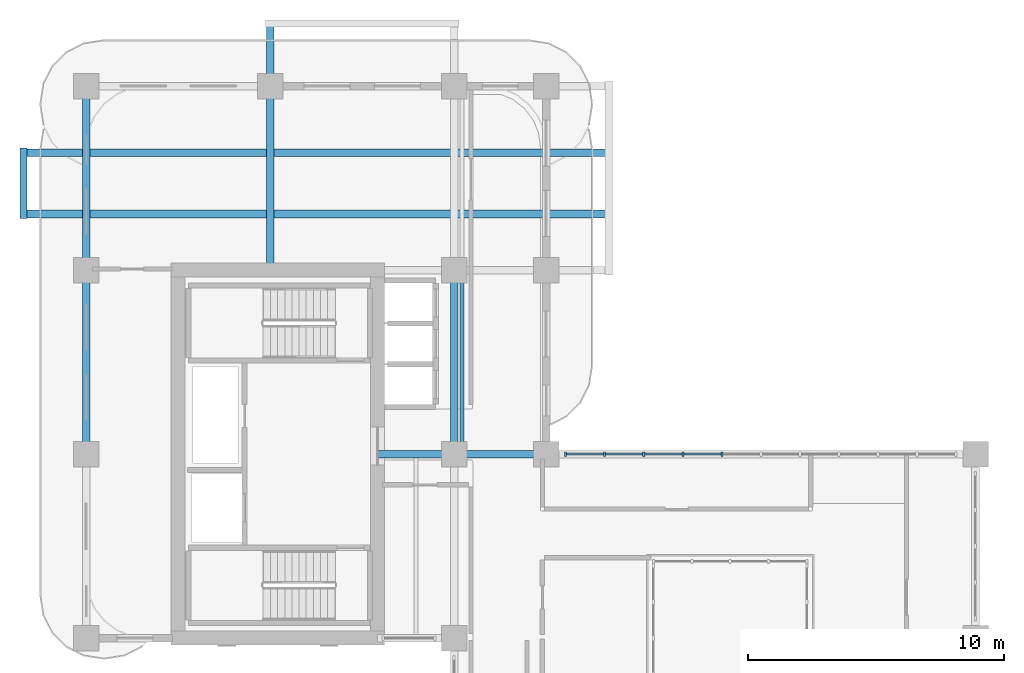
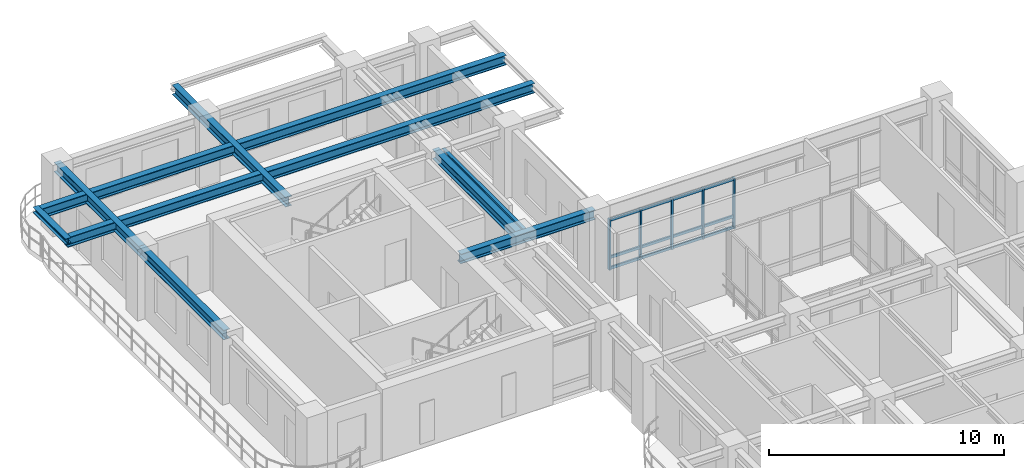
# One storey, part 5 of 19: 17 members, 9 beams, 1 element without a shape of its own.
"""IFC4 building model written with IfcOpenShell, lengths in metres."""

from ifc_helpers import new_model, si_unit, derived_unit, direction, frame, origin, origin_2d, place, context, subcontext, project, spatial, rectangle, i_section, extrude, source, transform, mapped, material, layer, layer_set, material_profile, profile_set, type_object, type_shapes, element, aggregate, save


model = new_model("IFC4")

# Units and contexts
model_context = context("Model", 3, precision=1e-05, world=origin(), true_north=direction((0.0, 1.0)))
body_context = subcontext(model_context, "Body", "Model", "MODEL_VIEW")
ifc_project = project(units=[si_unit("LENGTHUNIT", "METRE"), si_unit("AREAUNIT", "SQUARE_METRE"), si_unit("VOLUMEUNIT", "CUBIC_METRE"), si_unit("PLANEANGLEUNIT", "RADIAN"), si_unit("MASSUNIT", "GRAM", prefix="KILO"), si_unit("THERMODYNAMICTEMPERATUREUNIT", "KELVIN"), si_unit("POWERUNIT", "WATT"), derived_unit("THERMALTRANSMITTANCEUNIT", [(si_unit("POWERUNIT", "WATT"), 1), (si_unit("AREAUNIT", "SQUARE_METRE"), -1), (si_unit("THERMODYNAMICTEMPERATUREUNIT", "KELVIN"), -1)])], contexts=[model_context])

# Site, building, storey
site_placement = place(None, origin())
site = spatial("IfcSite", under=ifc_project, at=site_placement, CompositionType="ELEMENT")
building_placement = place(site_placement, origin())
building = spatial("IfcBuilding", under=site, at=building_placement, Name="Zahravan Archway Hotel and Residences", CompositionType="ELEMENT")
storey_placement = place(building_placement, frame((0.0, 0.0, 134.0)))
storey = spatial("IfcBuildingStorey", under=building, at=storey_placement, Name="L33", CompositionType="ELEMENT", Elevation=134.0)

# Beams
ifc_material_1 = material(Name="Structural Steel S355JR", Category="steel")
ifc_material_profile_1 = material_profile(ifc_material_1, i_section(OverallWidth=0.280029296875, OverallDepth=0.280029296875, WebThickness=0.010498046875, FlangeThickness=0.01806640625, FilletRadius=0.02392578125, at=origin_2d()), Name="HEB 280", Category="steel")
ifc_profile_set_1 = profile_set([ifc_material_profile_1], Name="Structural Steel S355JR")
beam_type_1 = type_object("IfcBeamType", Name="BM-SPN-HEB280", PredefinedType="SPANDREL", material=ifc_profile_set_1)
shared_shape_1 = source(origin(), body_context, "Body", "SweptSolid", [
    extrude(i_section(OverallWidth=0.280029296875, OverallDepth=0.280029296875, WebThickness=0.010498046875, FlangeThickness=0.01806640625, FilletRadius=0.02392578125, at=origin_2d()), origin(), (0.0, 0.0, 1.0), 2.759765625),
])
beam_1_placement = place(storey_placement, frame((-2.449951171875, 41.6201171875, 3.31005859375), z_axis=(0.0, 1.0, 0.0), x_axis=(-1.0, 0.0, 0.0)))
element("IfcBeam", 1, at=beam_1_placement, inside=storey, type_object=beam_type_1, Name="L34 WB Balcony Edge Spandrel", PredefinedType="SPANDREL", context=body_context, shape_type="MappedRepresentation", body=[
    mapped(shared_shape_1, transform((0.0, 0.0, 0.0), scale=1.0)),
])
ifc_material_profile_2 = material_profile(ifc_material_1, i_section(OverallWidth=0.300048828125, OverallDepth=0.5, WebThickness=0.014404296875, FlangeThickness=0.028076171875, FilletRadius=0.027099609375, at=origin_2d()), Name="HEB 500", Category="steel")
ifc_profile_set_2 = profile_set([ifc_material_profile_2], Name="Structural Steel S355JR")
beam_type_2 = type_object("IfcBeamType", Name="BM-PRI-HEB500", PredefinedType="BEAM", material=ifc_profile_set_2)
shared_shape_2 = source(origin(), body_context, "Body", "SweptSolid", [
    extrude(i_section(OverallWidth=0.300048828125, OverallDepth=0.5, WebThickness=0.014404296875, FlangeThickness=0.028076171875, FilletRadius=0.027099609375, at=origin_2d()), origin(), (0.0, 0.0, 1.0), 7.2001953125),
])
type_shapes(beam_type_2, [shared_shape_2])
for number, where, z_axis, x_axis, name in (
    (2, (0.0, 32.39990234375, 3.199951171875), (0.0, 1.0, 0.0), (-1.0, 0.0, 0.0), "L33 Primary Girder NS-25"),
    (3, (14.39990234375, 32.39990234375, 3.199951171875), (0.0, 1.0, 0.0), (-1.0, 0.0, 0.0), "L33 Primary Girder NS-33"),
):
    element("IfcBeam", number, at=place(storey_placement, frame(where, z_axis=z_axis, x_axis=x_axis)), inside=storey, type_object=beam_type_2, Name=name, PredefinedType="BEAM", context=body_context, shape_type="MappedRepresentation", body=[
        mapped(shared_shape_2, transform((0.0, 0.0, 0.0), scale=1.0)),
    ])
shared_shape_3 = source(origin(), body_context, "Body", "SweptSolid", [
    extrude(i_section(OverallWidth=0.300048828125, OverallDepth=0.5, WebThickness=0.014404296875, FlangeThickness=0.028076171875, FilletRadius=0.027099609375, at=origin_2d()), origin(), (0.0, 0.0, 1.0), 7.199951171875),
])
beam_2_placement = place(storey_placement, frame((0.0, 39.60009765625, 3.199951171875), z_axis=(0.0, 1.0, 0.0), x_axis=(-1.0, 0.0, 0.0)))
element("IfcBeam", 4, at=beam_2_placement, inside=storey, type_object=beam_type_2, Name="L33 Primary Girder NS-26", PredefinedType="BEAM", context=body_context, shape_type="MappedRepresentation", body=[
    mapped(shared_shape_3, transform((0.0, 0.0, 0.0), scale=1.0)),
])
shared_shape_4 = source(origin(), body_context, "Body", "SweptSolid", [
    extrude(i_section(OverallWidth=0.300048828125, OverallDepth=0.5, WebThickness=0.014404296875, FlangeThickness=0.028076171875, FilletRadius=0.027099609375, at=origin_2d()), origin(), (0.0, 0.0, 1.0), 6.60009765625),
])
beam_3_placement = place(storey_placement, frame((11.39990234375, 32.39990234375, 3.199951171875), z_axis=(1.0, 0.0, 0.0), x_axis=(0.0, 1.0, 0.0)))
element("IfcBeam", 5, at=beam_3_placement, inside=storey, type_object=beam_type_2, Name="L33 Primary Girder EW-17", PredefinedType="BEAM", context=body_context, shape_type="MappedRepresentation", body=[
    mapped(shared_shape_4, transform((0.0, 0.0, 0.0), scale=1.0)),
])
shared_shape_5 = source(origin(), body_context, "Body", "SweptSolid", [
    extrude(i_section(OverallWidth=0.300048828125, OverallDepth=0.5, WebThickness=0.014404296875, FlangeThickness=0.028076171875, FilletRadius=0.027099609375, at=origin_2d()), origin(), (0.0, 0.0, 1.0), 22.89990234375),
])
for number, where, z_axis, x_axis, name in (
    (6, (-2.449951171875, 41.800048828125, 3.199951171875), (1.0, 0.0, 0.0), (0.0, 1.0, 0.0), "L33 Primary Girder EW-22"),
    (7, (-2.449951171875, 44.199951171875, 3.199951171875), (1.0, 0.0, 0.0), (0.0, 1.0, 0.0), "L33 Primary Girder EW-23"),
):
    element("IfcBeam", number, at=place(storey_placement, frame(where, z_axis=z_axis, x_axis=x_axis)), inside=storey, type_object=beam_type_2, Name=name, PredefinedType="BEAM", context=body_context, shape_type="MappedRepresentation", body=[
        mapped(shared_shape_5, transform((0.0, 0.0, 0.0), scale=1.0)),
    ])
shared_shape_6 = source(origin(), body_context, "Body", "SweptSolid", [
    extrude(i_section(OverallWidth=0.300048828125, OverallDepth=0.5, WebThickness=0.014404296875, FlangeThickness=0.028076171875, FilletRadius=0.027099609375, at=origin_2d()), origin(), (0.0, 0.0, 1.0), 9.64990234375),
])
beam_4_placement = place(storey_placement, frame((7.199951171875, 39.60009765625, 3.199951171875), z_axis=(0.0, 1.0, 0.0), x_axis=(-1.0, 0.0, 0.0)))
element("IfcBeam", 8, at=beam_4_placement, inside=storey, type_object=beam_type_2, Name="L33 Primary Girder NS-27", PredefinedType="BEAM", context=body_context, shape_type="MappedRepresentation", body=[
    mapped(shared_shape_6, transform((0.0, 0.0, 0.0), scale=1.0)),
])
ifc_material_profile_3 = material_profile(ifc_material_1, i_section(OverallWidth=0.159912109375, OverallDepth=0.330078125, WebThickness=0.007568359375, FlangeThickness=0.011474609375, FilletRadius=0.01806640625, at=origin_2d()), Name="IPE 330", Category="steel")
ifc_profile_set_3 = profile_set([ifc_material_profile_3], Name="Structural Steel S355JR")
beam_type_3 = type_object("IfcBeamType", Name="BM-JST-IPE330", PredefinedType="JOIST", material=ifc_profile_set_3)
shared_shape_7 = source(origin(), body_context, "Body", "SweptSolid", [
    extrude(i_section(OverallWidth=0.159912109375, OverallDepth=0.330078125, WebThickness=0.007568359375, FlangeThickness=0.011474609375, FilletRadius=0.01806640625, at=origin_2d()), origin(), (0.0, 0.0, 1.0), 6.90380859375),
])
beam_5_placement = place(storey_placement, frame((14.699951171875, 32.548095703125, 3.284912109375), z_axis=(0.0, 1.0, 0.0), x_axis=(-1.0, 0.0, 0.0)))
element("IfcBeam", 9, at=beam_5_placement, inside=storey, type_object=beam_type_3, Name="L33 Composite Floor Joist 11", PredefinedType="JOIST", context=body_context, shape_type="MappedRepresentation", body=[
    mapped(shared_shape_7, transform((0.0, 0.0, 0.0), scale=1.0)),
])

# Curtain wall, members
ifc_material_2 = material(Name="Bronze-Anodized Unitised Aluminium & Low-E Glass", Category="aluminium")
ifc_layer = layer(ifc_material_2, 0.179931640625, Name="Bronze-Anodized Unitised Aluminium & Low-E Glass", Category="aluminium")
ifc_layer_set = layer_set([ifc_layer], Name="Bronze-Anodized Unitised Aluminium & Low-E Glass")
curtain_wall_type = type_object("IfcCurtainWallType", Name="CW-ATR-GLAZ", PredefinedType="NOTDEFINED", material=ifc_layer_set)
curtain_wall_placement = place(storey_placement, origin())
curtain_wall = element("IfcCurtainWall", 10, at=curtain_wall_placement, inside=storey, type_object=curtain_wall_type, Name="L33 Curtain Wall CW-L33-HNG-N-1", PredefinedType="NOTDEFINED")
ifc_material_3 = material(Name="Bronze-Anodized Extruded Aluminium", Category="aluminium")
ifc_material_profile_4 = material_profile(ifc_material_3, rectangle(XDim=0.080078125, YDim=0.159912109375, at=origin_2d()), Name="MUL 80x160", Category="aluminium")
ifc_profile_set_4 = profile_set([ifc_material_profile_4], Name="Bronze-Anodized Extruded Aluminium")
member_type_1 = type_object("IfcMemberType", Name="CWM-MUL-160", PredefinedType="MULLION", material=ifc_profile_set_4)
shared_shape_8 = source(origin(), body_context, "Body", "SweptSolid", [
    extrude(rectangle(XDim=0.080078125, YDim=0.159912109375, at=origin_2d()), origin(), (0.0, 0.0, 1.0), 2.635009765625),
])
member_1_placement = place(storey_placement, frame((18.760009765625, 32.39990234375, 0.0), z_axis=(0.0, 0.0, 1.0), x_axis=(1.0, 0.0, 0.0)))
member_1 = element("IfcMember", 11, at=member_1_placement, type_object=member_type_1, Name="CW-L33-HNG-N-1 Mullion 0", PredefinedType="MULLION", context=body_context, shape_type="MappedRepresentation", body=[
    mapped(shared_shape_8, transform((0.0, 0.0, 0.0), scale=1.0)),
])
member_2_placement = place(storey_placement, frame((20.2880859375, 32.39990234375, 0.0), z_axis=(0.0, 0.0, 1.0), x_axis=(1.0, 0.0, 0.0)))
member_2 = element("IfcMember", 12, at=member_2_placement, type_object=member_type_1, Name="CW-L33-HNG-N-1 Mullion 1", PredefinedType="MULLION", context=body_context, shape_type="MappedRepresentation", body=[
    mapped(shared_shape_8, transform((0.0, 0.0, 0.0), scale=1.0)),
])
member_3_placement = place(storey_placement, frame((21.81591796875, 32.39990234375, 0.0), z_axis=(0.0, 0.0, 1.0), x_axis=(1.0, 0.0, 0.0)))
member_3 = element("IfcMember", 13, at=member_3_placement, type_object=member_type_1, Name="CW-L33-HNG-N-1 Mullion 2", PredefinedType="MULLION", context=body_context, shape_type="MappedRepresentation", body=[
    mapped(shared_shape_8, transform((0.0, 0.0, 0.0), scale=1.0)),
])
member_4_placement = place(storey_placement, frame((23.343994140625, 32.39990234375, 0.0), z_axis=(0.0, 0.0, 1.0), x_axis=(1.0, 0.0, 0.0)))
member_4 = element("IfcMember", 14, at=member_4_placement, type_object=member_type_1, Name="CW-L33-HNG-N-1 Mullion 3", PredefinedType="MULLION", context=body_context, shape_type="MappedRepresentation", body=[
    mapped(shared_shape_8, transform((0.0, 0.0, 0.0), scale=1.0)),
])
member_5_placement = place(storey_placement, frame((24.8720703125, 32.39990234375, 0.0), z_axis=(0.0, 0.0, 1.0), x_axis=(1.0, 0.0, 0.0)))
member_5 = element("IfcMember", 15, at=member_5_placement, type_object=member_type_1, Name="CW-L33-HNG-N-1 Mullion 4", PredefinedType="MULLION", context=body_context, shape_type="MappedRepresentation", body=[
    mapped(shared_shape_8, transform((0.0, 0.0, 0.0), scale=1.0)),
])
ifc_material_profile_5 = material_profile(ifc_material_3, rectangle(XDim=0.080078125, YDim=0.139892578125, at=origin_2d()), Name="TRN 80x140", Category="aluminium")
ifc_profile_set_5 = profile_set([ifc_material_profile_5], Name="Bronze-Anodized Extruded Aluminium")
member_type_2 = type_object("IfcMemberType", Name="CWM-TRN-140", PredefinedType="USERDEFINED", material=ifc_profile_set_5)
shared_shape_9 = source(origin(), body_context, "Body", "SweptSolid", [
    extrude(rectangle(XDim=0.080078125, YDim=0.139892578125, at=origin_2d()), origin(), (0.0, 0.0, 1.0), 1.447998046875),
])
member_6_placement = place(storey_placement, frame((18.800048828125, 32.39990234375, 0.070068359375), z_axis=(1.0, 0.0, 0.0), x_axis=(0.0, 1.0, 0.0)))
member_6 = element("IfcMember", 16, at=member_6_placement, type_object=member_type_2, Name="CW-L33-HNG-N-1 Transom 0-1", ObjectType="TRANSOM", PredefinedType="USERDEFINED", context=body_context, shape_type="MappedRepresentation", body=[
    mapped(shared_shape_9, transform((0.0, 0.0, 0.0), scale=1.0)),
])
member_7_placement = place(storey_placement, frame((18.800048828125, 32.39990234375, 0.63232421875), z_axis=(1.0, 0.0, 0.0), x_axis=(0.0, 1.0, 0.0)))
member_7 = element("IfcMember", 17, at=member_7_placement, type_object=member_type_2, Name="CW-L33-HNG-N-1 Transom 0-2", ObjectType="TRANSOM", PredefinedType="USERDEFINED", context=body_context, shape_type="MappedRepresentation", body=[
    mapped(shared_shape_9, transform((0.0, 0.0, 0.0), scale=1.0)),
])
member_8_placement = place(storey_placement, frame((18.800048828125, 32.39990234375, 2.56494140625), z_axis=(1.0, 0.0, 0.0), x_axis=(0.0, 1.0, 0.0)))
member_8 = element("IfcMember", 18, at=member_8_placement, type_object=member_type_2, Name="CW-L33-HNG-N-1 Transom 0-3", ObjectType="TRANSOM", PredefinedType="USERDEFINED", context=body_context, shape_type="MappedRepresentation", body=[
    mapped(shared_shape_9, transform((0.0, 0.0, 0.0), scale=1.0)),
])
member_9_placement = place(storey_placement, frame((20.327880859375, 32.39990234375, 0.070068359375), z_axis=(1.0, 0.0, 0.0), x_axis=(0.0, 1.0, 0.0)))
member_9 = element("IfcMember", 19, at=member_9_placement, type_object=member_type_2, Name="CW-L33-HNG-N-1 Transom 1-1", ObjectType="TRANSOM", PredefinedType="USERDEFINED", context=body_context, shape_type="MappedRepresentation", body=[
    mapped(shared_shape_9, transform((0.0, 0.0, 0.0), scale=1.0)),
])
member_10_placement = place(storey_placement, frame((20.327880859375, 32.39990234375, 0.63232421875), z_axis=(1.0, 0.0, 0.0), x_axis=(0.0, 1.0, 0.0)))
member_10 = element("IfcMember", 20, at=member_10_placement, type_object=member_type_2, Name="CW-L33-HNG-N-1 Transom 1-2", ObjectType="TRANSOM", PredefinedType="USERDEFINED", context=body_context, shape_type="MappedRepresentation", body=[
    mapped(shared_shape_9, transform((0.0, 0.0, 0.0), scale=1.0)),
])
member_11_placement = place(storey_placement, frame((20.327880859375, 32.39990234375, 2.56494140625), z_axis=(1.0, 0.0, 0.0), x_axis=(0.0, 1.0, 0.0)))
member_11 = element("IfcMember", 21, at=member_11_placement, type_object=member_type_2, Name="CW-L33-HNG-N-1 Transom 1-3", ObjectType="TRANSOM", PredefinedType="USERDEFINED", context=body_context, shape_type="MappedRepresentation", body=[
    mapped(shared_shape_9, transform((0.0, 0.0, 0.0), scale=1.0)),
])
member_12_placement = place(storey_placement, frame((21.85595703125, 32.39990234375, 0.070068359375), z_axis=(1.0, 0.0, 0.0), x_axis=(0.0, 1.0, 0.0)))
member_12 = element("IfcMember", 22, at=member_12_placement, type_object=member_type_2, Name="CW-L33-HNG-N-1 Transom 2-1", ObjectType="TRANSOM", PredefinedType="USERDEFINED", context=body_context, shape_type="MappedRepresentation", body=[
    mapped(shared_shape_9, transform((0.0, 0.0, 0.0), scale=1.0)),
])
member_13_placement = place(storey_placement, frame((21.85595703125, 32.39990234375, 0.63232421875), z_axis=(1.0, 0.0, 0.0), x_axis=(0.0, 1.0, 0.0)))
member_13 = element("IfcMember", 23, at=member_13_placement, type_object=member_type_2, Name="CW-L33-HNG-N-1 Transom 2-2", ObjectType="TRANSOM", PredefinedType="USERDEFINED", context=body_context, shape_type="MappedRepresentation", body=[
    mapped(shared_shape_9, transform((0.0, 0.0, 0.0), scale=1.0)),
])
member_14_placement = place(storey_placement, frame((21.85595703125, 32.39990234375, 2.56494140625), z_axis=(1.0, 0.0, 0.0), x_axis=(0.0, 1.0, 0.0)))
member_14 = element("IfcMember", 24, at=member_14_placement, type_object=member_type_2, Name="CW-L33-HNG-N-1 Transom 2-3", ObjectType="TRANSOM", PredefinedType="USERDEFINED", context=body_context, shape_type="MappedRepresentation", body=[
    mapped(shared_shape_9, transform((0.0, 0.0, 0.0), scale=1.0)),
])
member_15_placement = place(storey_placement, frame((23.384033203125, 32.39990234375, 0.070068359375), z_axis=(1.0, 0.0, 0.0), x_axis=(0.0, 1.0, 0.0)))
member_15 = element("IfcMember", 25, at=member_15_placement, type_object=member_type_2, Name="CW-L33-HNG-N-1 Transom 3-1", ObjectType="TRANSOM", PredefinedType="USERDEFINED", context=body_context, shape_type="MappedRepresentation", body=[
    mapped(shared_shape_9, transform((0.0, 0.0, 0.0), scale=1.0)),
])
member_16_placement = place(storey_placement, frame((23.384033203125, 32.39990234375, 0.63232421875), z_axis=(1.0, 0.0, 0.0), x_axis=(0.0, 1.0, 0.0)))
member_16 = element("IfcMember", 26, at=member_16_placement, type_object=member_type_2, Name="CW-L33-HNG-N-1 Transom 3-2", ObjectType="TRANSOM", PredefinedType="USERDEFINED", context=body_context, shape_type="MappedRepresentation", body=[
    mapped(shared_shape_9, transform((0.0, 0.0, 0.0), scale=1.0)),
])
member_17_placement = place(storey_placement, frame((23.384033203125, 32.39990234375, 2.56494140625), z_axis=(1.0, 0.0, 0.0), x_axis=(0.0, 1.0, 0.0)))
member_17 = element("IfcMember", 27, at=member_17_placement, type_object=member_type_2, Name="CW-L33-HNG-N-1 Transom 3-3", ObjectType="TRANSOM", PredefinedType="USERDEFINED", context=body_context, shape_type="MappedRepresentation", body=[
    mapped(shared_shape_9, transform((0.0, 0.0, 0.0), scale=1.0)),
])
aggregate(curtain_wall, [member_1, member_2, member_3, member_4, member_5, member_6, member_7, member_8, member_9, member_10, member_11, member_12, member_13, member_14, member_15, member_16, member_17])

save(model, "model.ifc")
